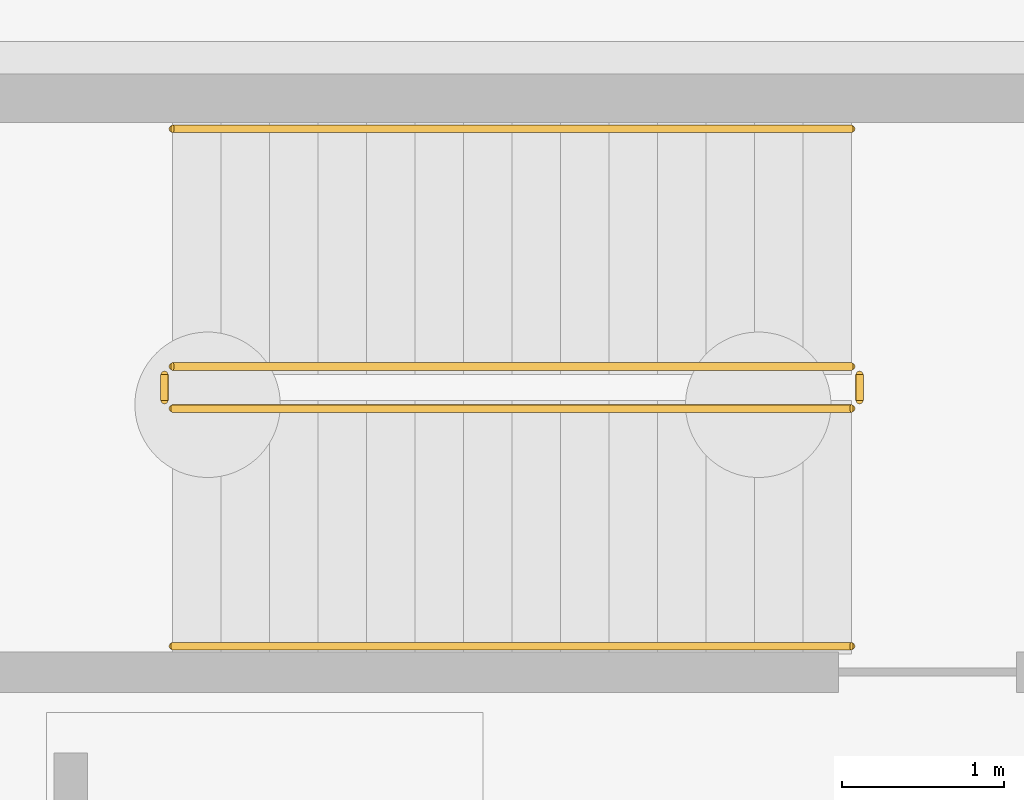
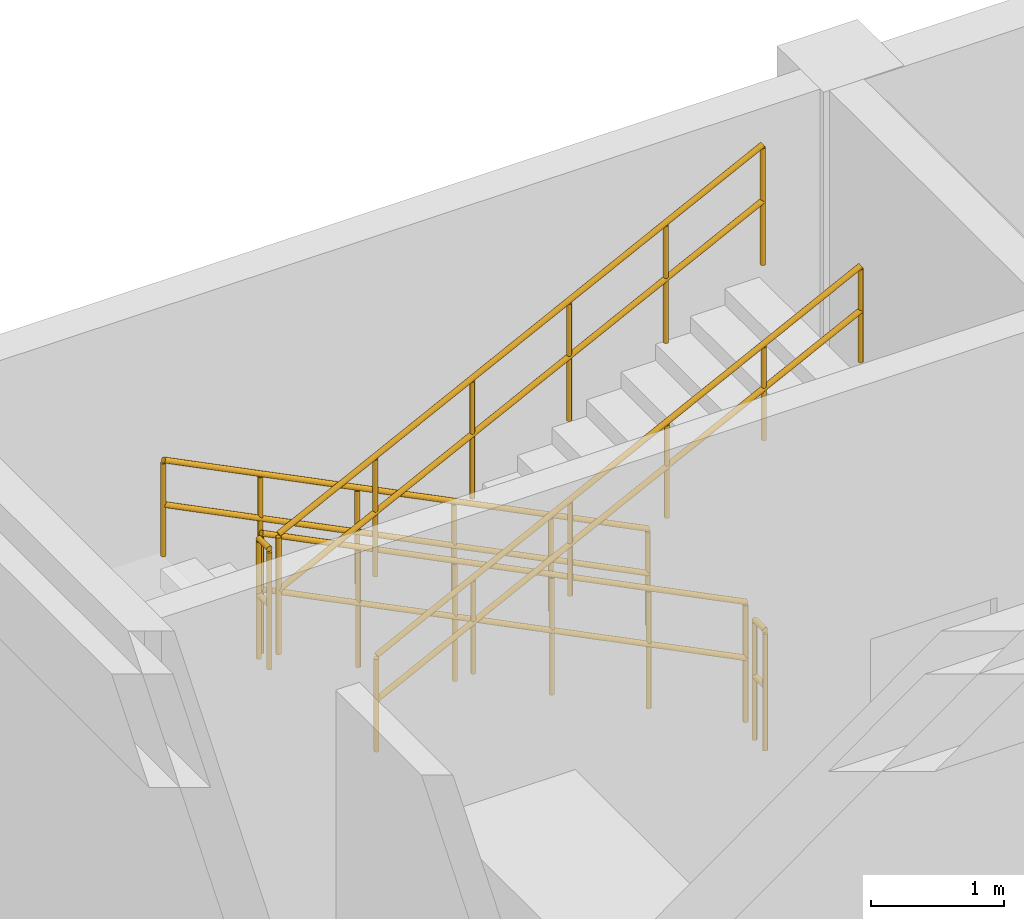
# One storey, part 41 of 43: 6 railings.
"""IFC4 building model written with IfcOpenShell, lengths in metres."""

from ifc_helpers import new_model, si_unit, derived_unit, direction, frame, origin, origin_2d, place, context, subcontext, project, spatial, circle, extrude, material, type_object, element, save


model = new_model("IFC4")

# Units and contexts
model_context = context("Model", 3, precision=1e-05, world=origin(), true_north=direction((0.0, 1.0)))
body_context = subcontext(model_context, "Body", "Model", "MODEL_VIEW")
ifc_project = project(units=[si_unit("LENGTHUNIT", "METRE"), si_unit("AREAUNIT", "SQUARE_METRE"), si_unit("VOLUMEUNIT", "CUBIC_METRE"), si_unit("PLANEANGLEUNIT", "RADIAN"), si_unit("MASSUNIT", "GRAM", prefix="KILO"), derived_unit("THERMALTRANSMITTANCEUNIT", [(si_unit("POWERUNIT", "WATT"), 1), (si_unit("AREAUNIT", "SQUARE_METRE"), -1), (si_unit("THERMODYNAMICTEMPERATUREUNIT", "KELVIN"), -1)])], contexts=[model_context])

# Site, building, storey
site_placement = place(None, origin())
site = spatial("IfcSite", under=ifc_project, at=site_placement, CompositionType="ELEMENT")
building_placement = place(site_placement, origin())
building = spatial("IfcBuilding", under=site, at=building_placement, Name="Yasenodar Specialist Clinic", CompositionType="ELEMENT")
storey_placement = place(building_placement, frame((0.0, 0.0, -4.5)))
storey = spatial("IfcBuildingStorey", under=building, at=storey_placement, Name="B1", CompositionType="ELEMENT", Elevation=-4.5)

# Railings
ifc_material_1 = material(Name="Steel S355 Painted Stair Guardrail", Category="steel")
railing_type_1 = type_object("IfcRailingType", Name="RL-ST-GRD", PredefinedType="GUARDRAIL", material=ifc_material_1)
railing_1_placement = place(storey_placement, frame((119.929931640625, 109.7900390625, 0.14990234375)))
element("IfcRailing", 1, at=railing_1_placement, inside=storey, type_object=railing_type_1, Name="B1 ST-05 stair guard 1", PredefinedType="GUARDRAIL", context=body_context, shape_type="SweptSolid", body=[
    extrude(circle(Radius=0.02392578125, at=origin_2d()), frame((0.0, 0.0, 1.09619140625), z_axis=(-0.894416792377, 0.0, 0.447234392142), x_axis=(0.0, -1.0, 0.0)), (0.0, 0.0, 1.0), 4.69580078125),
    extrude(circle(Radius=0.02392578125, at=origin_2d()), frame((0.0, 0.0, 0.58251953125), z_axis=(-0.894416792377, 0.0, 0.447234392142), x_axis=(0.0, -1.0, 0.0)), (0.0, 0.0, 1.0), 4.69580078125),
    extrude(circle(Radius=0.02099609375, at=origin_2d()), origin(), (0.0, 0.0, 1.0), 1.072021484375),
    extrude(circle(Radius=0.02099609375, at=origin_2d()), frame((-0.840087890625, 0.0, 0.419921875)), (0.0, 0.0, 1.0), 1.072021484375),
    extrude(circle(Radius=0.02099609375, at=origin_2d()), frame((-1.679931640625, 0.0, 0.840087890625)), (0.0, 0.0, 1.0), 1.072021484375),
    extrude(circle(Radius=0.02099609375, at=origin_2d()), frame((-2.52001953125, 0.0, 1.260009765625)), (0.0, 0.0, 1.0), 1.072021484375),
    extrude(circle(Radius=0.02099609375, at=origin_2d()), frame((-3.35986328125, 0.0, 1.68017578125)), (0.0, 0.0, 1.0), 1.072021484375),
    extrude(circle(Radius=0.02099609375, at=origin_2d()), frame((-4.199951171875, 0.0, 2.10009765625)), (0.0, 0.0, 1.0), 1.072021484375),
])
railing_2_placement = place(storey_placement, frame((115.679931640625, 109.739990234375, 2.25)))
element("IfcRailing", 2, at=railing_2_placement, inside=storey, type_object=railing_type_1, Name="B1 ST-05 stair guard 2", PredefinedType="GUARDRAIL", context=body_context, shape_type="SweptSolid", body=[
    extrude(circle(Radius=0.02392578125, at=origin_2d()), frame((0.0, 0.0, 1.09619140625), z_axis=(0.0, -1.0, 0.0), x_axis=(1.0, 0.0, 0.0)), (0.0, 0.0, 1.0), 0.159912109375),
    extrude(circle(Radius=0.02392578125, at=origin_2d()), frame((0.0, 0.0, 0.58251953125), z_axis=(0.0, -1.0, 0.0), x_axis=(1.0, 0.0, 0.0)), (0.0, 0.0, 1.0), 0.159912109375),
    extrude(circle(Radius=0.02099609375, at=origin_2d()), origin(), (0.0, 0.0, 1.0), 1.072021484375),
    extrude(circle(Radius=0.02099609375, at=origin_2d()), frame((0.0, -0.159912109375, 0.0)), (0.0, 0.0, 1.0), 1.072021484375),
])
railing_3_placement = place(storey_placement, frame((115.72998046875, 109.530029296875, 2.39990234375)))
element("IfcRailing", 3, at=railing_3_placement, inside=storey, type_object=railing_type_1, Name="B1 ST-05 stair guard 3", PredefinedType="GUARDRAIL", context=body_context, shape_type="SweptSolid", body=[
    extrude(circle(Radius=0.02392578125, at=origin_2d()), frame((0.0, 0.0, 1.09619140625), z_axis=(0.894416792377, 0.0, 0.447234392142), x_axis=(0.0, 1.0, 0.0)), (0.0, 0.0, 1.0), 4.69580078125),
    extrude(circle(Radius=0.02392578125, at=origin_2d()), frame((0.0, 0.0, 0.58251953125), z_axis=(0.894416792377, 0.0, 0.447234392142), x_axis=(0.0, 1.0, 0.0)), (0.0, 0.0, 1.0), 4.69580078125),
    extrude(circle(Radius=0.02099609375, at=origin_2d()), origin(), (0.0, 0.0, 1.0), 1.072021484375),
    extrude(circle(Radius=0.02099609375, at=origin_2d()), frame((0.840087890625, 0.0, 0.419921875)), (0.0, 0.0, 1.0), 1.072021484375),
    extrude(circle(Radius=0.02099609375, at=origin_2d()), frame((1.679931640625, 0.0, 0.840087890625)), (0.0, 0.0, 1.0), 1.072021484375),
    extrude(circle(Radius=0.02099609375, at=origin_2d()), frame((2.52001953125, 0.0, 1.260009765625)), (0.0, 0.0, 1.0), 1.072021484375),
    extrude(circle(Radius=0.02099609375, at=origin_2d()), frame((3.35986328125, 0.0, 1.68017578125)), (0.0, 0.0, 1.0), 1.072021484375),
    extrude(circle(Radius=0.02099609375, at=origin_2d()), frame((4.199951171875, 0.0, 2.10009765625)), (0.0, 0.0, 1.0), 1.072021484375),
])
railing_4_placement = place(storey_placement, frame((119.97998046875, 109.739990234375, 0.0)))
element("IfcRailing", 4, at=railing_4_placement, inside=storey, type_object=railing_type_1, Name="B1 ST-05 stair guard 4", PredefinedType="GUARDRAIL", context=body_context, shape_type="SweptSolid", body=[
    extrude(circle(Radius=0.02392578125, at=origin_2d()), frame((0.0, 0.0, 1.09619140625), z_axis=(0.0, -1.0, 0.0), x_axis=(1.0, 0.0, 0.0)), (0.0, 0.0, 1.0), 0.159912109375),
    extrude(circle(Radius=0.02392578125, at=origin_2d()), frame((0.0, 0.0, 0.58251953125), z_axis=(0.0, -1.0, 0.0), x_axis=(1.0, 0.0, 0.0)), (0.0, 0.0, 1.0), 0.159912109375),
    extrude(circle(Radius=0.02099609375, at=origin_2d()), origin(), (0.0, 0.0, 1.0), 1.072021484375),
    extrude(circle(Radius=0.02099609375, at=origin_2d()), frame((0.0, -0.159912109375, 0.0)), (0.0, 0.0, 1.0), 1.072021484375),
])
ifc_material_2 = material(Name="Brushed Stainless Steel Handrail", Category="steel")
railing_type_2 = type_object("IfcRailingType", Name="RL-ST-HND", PredefinedType="HANDRAIL", material=ifc_material_2)
railing_5_placement = place(storey_placement, frame((119.929931640625, 111.260009765625, 0.14990234375)))
element("IfcRailing", 5, at=railing_5_placement, inside=storey, type_object=railing_type_2, Name="B1 ST-05 stair handrail 1", PredefinedType="HANDRAIL", context=body_context, shape_type="SweptSolid", body=[
    extrude(circle(Radius=0.02392578125, at=origin_2d()), frame((0.0, 0.0, 0.8759765625), z_axis=(-0.894416792377, 0.0, 0.447234392142), x_axis=(0.0, -1.0, 0.0)), (0.0, 0.0, 1.0), 4.69580078125),
    extrude(circle(Radius=0.02392578125, at=origin_2d()), frame((0.0, 0.0, 0.468017578125), z_axis=(-0.894416792377, 0.0, 0.447234392142), x_axis=(0.0, -1.0, 0.0)), (0.0, 0.0, 1.0), 4.69580078125),
    extrude(circle(Radius=0.02099609375, at=origin_2d()), origin(), (0.0, 0.0, 1.0), 0.851806640625),
    extrude(circle(Radius=0.02099609375, at=origin_2d()), frame((-0.840087890625, 0.0, 0.419921875)), (0.0, 0.0, 1.0), 0.851806640625),
    extrude(circle(Radius=0.02099609375, at=origin_2d()), frame((-1.679931640625, 0.0, 0.840087890625)), (0.0, 0.0, 1.0), 0.851806640625),
    extrude(circle(Radius=0.02099609375, at=origin_2d()), frame((-2.52001953125, 0.0, 1.260009765625)), (0.0, 0.0, 1.0), 0.851806640625),
    extrude(circle(Radius=0.02099609375, at=origin_2d()), frame((-3.35986328125, 0.0, 1.68017578125)), (0.0, 0.0, 1.0), 0.851806640625),
    extrude(circle(Radius=0.02099609375, at=origin_2d()), frame((-4.199951171875, 0.0, 2.10009765625)), (0.0, 0.0, 1.0), 0.851806640625),
])
railing_6_placement = place(storey_placement, frame((115.72998046875, 108.06005859375, 2.39990234375)))
element("IfcRailing", 6, at=railing_6_placement, inside=storey, type_object=railing_type_2, Name="B1 ST-05 stair handrail 2", PredefinedType="HANDRAIL", context=body_context, shape_type="SweptSolid", body=[
    extrude(circle(Radius=0.02392578125, at=origin_2d()), frame((0.0, 0.0, 0.8759765625), z_axis=(0.894416792377, 0.0, 0.447234392142), x_axis=(0.0, 1.0, 0.0)), (0.0, 0.0, 1.0), 4.69580078125),
    extrude(circle(Radius=0.02392578125, at=origin_2d()), frame((0.0, 0.0, 0.468017578125), z_axis=(0.894416792377, 0.0, 0.447234392142), x_axis=(0.0, 1.0, 0.0)), (0.0, 0.0, 1.0), 4.69580078125),
    extrude(circle(Radius=0.02099609375, at=origin_2d()), origin(), (0.0, 0.0, 1.0), 0.851806640625),
    extrude(circle(Radius=0.02099609375, at=origin_2d()), frame((0.840087890625, 0.0, 0.419921875)), (0.0, 0.0, 1.0), 0.851806640625),
    extrude(circle(Radius=0.02099609375, at=origin_2d()), frame((1.679931640625, 0.0, 0.840087890625)), (0.0, 0.0, 1.0), 0.851806640625),
    extrude(circle(Radius=0.02099609375, at=origin_2d()), frame((2.52001953125, 0.0, 1.260009765625)), (0.0, 0.0, 1.0), 0.851806640625),
    extrude(circle(Radius=0.02099609375, at=origin_2d()), frame((3.35986328125, 0.0, 1.68017578125)), (0.0, 0.0, 1.0), 0.851806640625),
    extrude(circle(Radius=0.02099609375, at=origin_2d()), frame((4.199951171875, 0.0, 2.10009765625)), (0.0, 0.0, 1.0), 0.851806640625),
])

save(model, "model.ifc")
